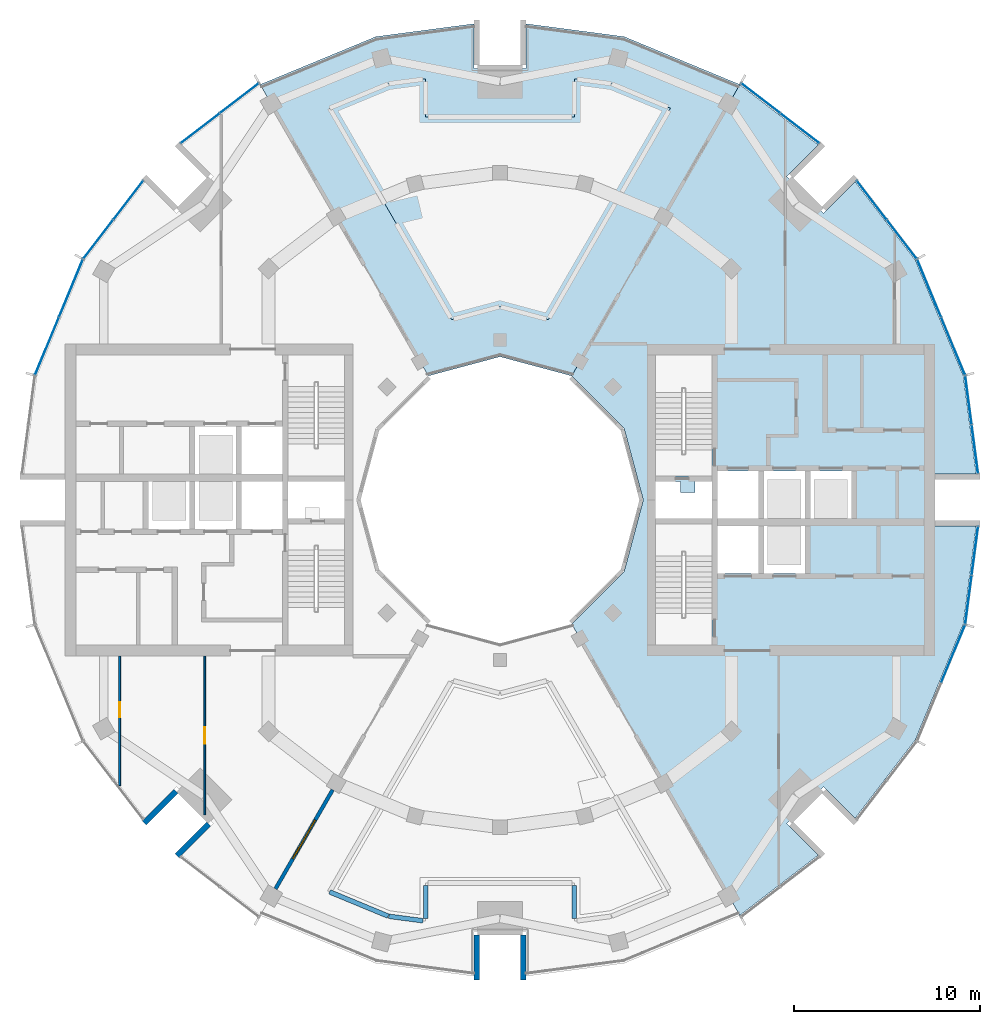
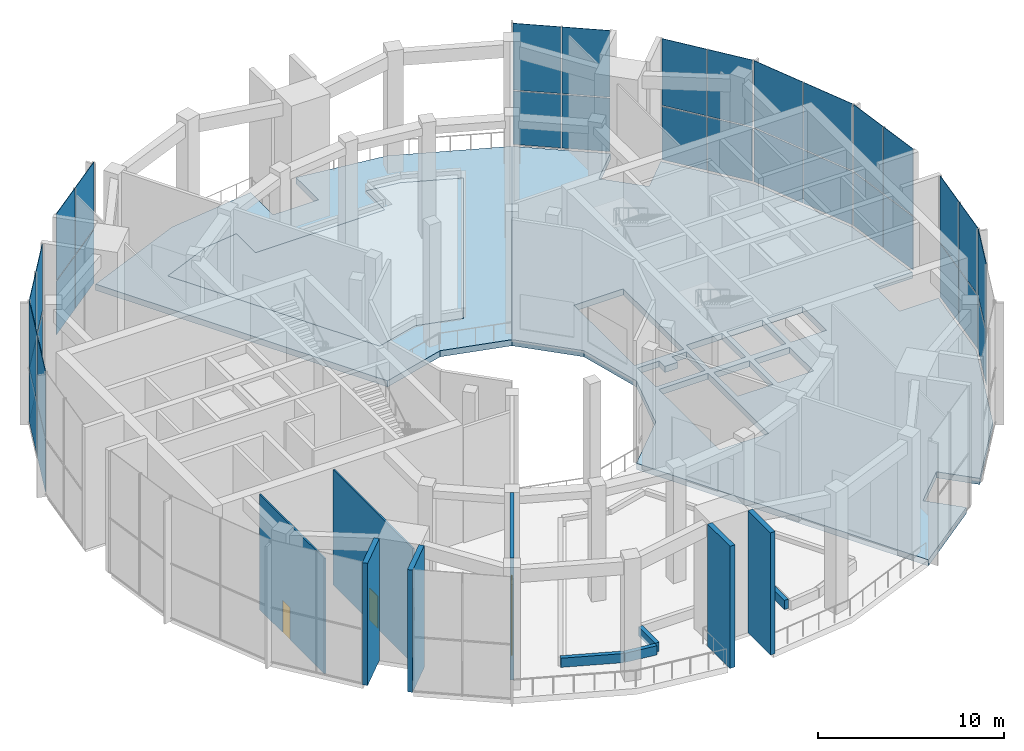
# One storey, part 10 of 18: 34 plates, 11 walls, 3 slabs, 2 doors, 1 window, 3 openings, 9 elements without a shape of their own.
"""IFC4 building model written with IfcOpenShell, lengths in metres."""

from ifc_helpers import new_model, si_unit, direction, frame, frame_2d, origin, origin_2d, place, context, subcontext, project, spatial, polyline, rectangle, outline, extrude, material, layer, layer_set, type_object, element, fill, aggregate, save


model = new_model("IFC4")

# Units and contexts
model_context = context("Model", 3, precision=1e-05, world=origin(), true_north=direction((0.0, 1.0)))
body_context = subcontext(model_context, "Body", "Model", "MODEL_VIEW")
ifc_project = project(units=[si_unit("LENGTHUNIT", "METRE"), si_unit("AREAUNIT", "SQUARE_METRE"), si_unit("VOLUMEUNIT", "CUBIC_METRE"), si_unit("PLANEANGLEUNIT", "RADIAN"), si_unit("MASSUNIT", "GRAM", prefix="KILO")], contexts=[model_context])

# Site, building, storey
site_placement = place(None, origin())
site = spatial("IfcSite", under=ifc_project, at=site_placement, CompositionType="ELEMENT")
building_placement = place(site_placement, origin())
building = spatial("IfcBuilding", under=site, at=building_placement, Name="Torre Brocal", CompositionType="ELEMENT")
storey_placement = place(building_placement, frame((0.0, 0.0, 229.300048828125)))
storey = spatial("IfcBuildingStorey", under=building, at=storey_placement, Name="L53", CompositionType="ELEMENT", Elevation=229.300048828125)

# Curtain wall, plates
ifc_material_1 = material(Name="Aluminium and glass", Category="aluminium")
ifc_layer_1 = layer(ifc_material_1, 0.199951171875)
ifc_layer_set_1 = layer_set([ifc_layer_1], Name="Aluminium and glass")
curtain_wall_type = type_object("IfcCurtainWallType", Name="CW-4 CURTAIN WALL 8000 HIGH", PredefinedType="NOTDEFINED", material=ifc_layer_set_1)
curtain_wall_1_placement = place(storey_placement, origin())
curtain_wall_1 = element("IfcCurtainWall", 1, at=curtain_wall_1_placement, inside=storey, type_object=curtain_wall_type, Name="CW-4 RUN 1", PredefinedType="NOTDEFINED")
ifc_material_2 = material(Name="Glass, dark tinted laminated", Category="glass")
ifc_layer_2 = layer(ifc_material_2, 0.030029296875)
ifc_layer_set_2 = layer_set([ifc_layer_2], Name="Glass, dark tinted laminated")
plate_type = type_object("IfcPlateType", Name="CW-4 GLASS PANEL 30", PredefinedType="CURTAIN_PANEL", material=ifc_layer_set_2)
plate_1_placement = place(storey_placement, frame((105.53857421875, 77.73828125, 0.06982421875), z_axis=(0.0, 0.0, 1.0), x_axis=(-0.13052619222, 0.991444861374, 0.0)))
plate_1 = element("IfcPlate", 2, at=plate_1_placement, type_object=plate_type, Name="CW4-1 panel 1.1", PredefinedType="CURTAIN_PANEL", context=body_context, shape_type="SweptSolid", body=[
    extrude(rectangle(XDim=2.599365234375, YDim=0.030029296875, at=origin_2d()), origin(), (0.0, 0.0, 1.0), 3.4951171875),
])
plate_2_placement = place(storey_placement, frame((105.53857421875, 77.73828125, 3.634765625), z_axis=(0.0, 0.0, 1.0), x_axis=(-0.13052619222, 0.991444861374, 0.0)))
plate_2 = element("IfcPlate", 3, at=plate_2_placement, type_object=plate_type, Name="CW4-1 panel 1.2", PredefinedType="CURTAIN_PANEL", context=body_context, shape_type="SweptSolid", body=[
    extrude(rectangle(XDim=2.599365234375, YDim=0.030029296875, at=origin_2d()), origin(), (0.0, 0.0, 1.0), 4.364990234375),
])
plate_3_placement = place(storey_placement, frame((105.19287109375, 80.364990234375, 0.06982421875), z_axis=(0.0, 0.0, 1.0), x_axis=(-0.13052619222, 0.991444861374, 0.0)))
plate_3 = element("IfcPlate", 4, at=plate_3_placement, type_object=plate_type, Name="CW4-1 panel 2.1", PredefinedType="CURTAIN_PANEL", context=body_context, shape_type="SweptSolid", body=[
    extrude(rectangle(XDim=2.599365234375, YDim=0.030029296875, at=origin_2d()), origin(), (0.0, 0.0, 1.0), 3.4951171875),
])
plate_4_placement = place(storey_placement, frame((105.19287109375, 80.364990234375, 3.634765625), z_axis=(0.0, 0.0, 1.0), x_axis=(-0.13052619222, 0.991444861374, 0.0)))
plate_4 = element("IfcPlate", 5, at=plate_4_placement, type_object=plate_type, Name="CW4-1 panel 2.2", PredefinedType="CURTAIN_PANEL", context=body_context, shape_type="SweptSolid", body=[
    extrude(rectangle(XDim=2.599365234375, YDim=0.030029296875, at=origin_2d()), origin(), (0.0, 0.0, 1.0), 4.364990234375),
])
aggregate(curtain_wall_1, [plate_1, plate_2, plate_3, plate_4])

curtain_wall_2_placement = place(storey_placement, origin())
curtain_wall_2 = element("IfcCurtainWall", 6, at=curtain_wall_2_placement, inside=storey, type_object=curtain_wall_type, Name="CW-4 RUN 2", PredefinedType="NOTDEFINED")
plate_5_placement = place(storey_placement, frame((104.364990234375, 83.2763671875, 0.06982421875), z_axis=(0.0, 0.0, 1.0), x_axis=(-0.382683432333, 0.923879532525, 0.0)))
plate_5 = element("IfcPlate", 7, at=plate_5_placement, type_object=plate_type, Name="CW4-1 panel 1.1", PredefinedType="CURTAIN_PANEL", context=body_context, shape_type="SweptSolid", body=[
    extrude(rectangle(XDim=3.305419921875, YDim=0.030029296875, at=origin_2d()), origin(), (0.0, 0.0, 1.0), 3.4951171875),
])
plate_6_placement = place(storey_placement, frame((104.364990234375, 83.2763671875, 3.634765625), z_axis=(0.0, 0.0, 1.0), x_axis=(-0.382683432333, 0.923879532525, 0.0)))
plate_6 = element("IfcPlate", 8, at=plate_6_placement, type_object=plate_type, Name="CW4-1 panel 1.2", PredefinedType="CURTAIN_PANEL", context=body_context, shape_type="SweptSolid", body=[
    extrude(rectangle(XDim=3.305419921875, YDim=0.030029296875, at=origin_2d()), origin(), (0.0, 0.0, 1.0), 4.364990234375),
])
plate_7_placement = place(storey_placement, frame((103.080810546875, 86.37646484375, 0.06982421875), z_axis=(0.0, 0.0, 1.0), x_axis=(-0.382683432333, 0.923879532525, 0.0)))
plate_7 = element("IfcPlate", 9, at=plate_7_placement, type_object=plate_type, Name="CW4-1 panel 2.1", PredefinedType="CURTAIN_PANEL", context=body_context, shape_type="SweptSolid", body=[
    extrude(rectangle(XDim=3.305419921875, YDim=0.030029296875, at=origin_2d()), origin(), (0.0, 0.0, 1.0), 3.4951171875),
])
plate_8_placement = place(storey_placement, frame((103.080810546875, 86.37646484375, 3.634765625), z_axis=(0.0, 0.0, 1.0), x_axis=(-0.382683432333, 0.923879532525, 0.0)))
plate_8 = element("IfcPlate", 10, at=plate_8_placement, type_object=plate_type, Name="CW4-1 panel 2.2", PredefinedType="CURTAIN_PANEL", context=body_context, shape_type="SweptSolid", body=[
    extrude(rectangle(XDim=3.305419921875, YDim=0.030029296875, at=origin_2d()), origin(), (0.0, 0.0, 1.0), 4.364990234375),
])
aggregate(curtain_wall_2, [plate_5, plate_6, plate_7, plate_8])

curtain_wall_3_placement = place(storey_placement, origin())
curtain_wall_3 = element("IfcCurtainWall", 11, at=curtain_wall_3_placement, inside=storey, type_object=curtain_wall_type, Name="CW-4 RUN 3", PredefinedType="NOTDEFINED")
plate_9_placement = place(storey_placement, frame((101.607666015625, 89.0205078125, 0.06982421875), z_axis=(0.0, 0.0, 1.0), x_axis=(-0.60876142905, 0.793353340259, 0.0)))
plate_9 = element("IfcPlate", 12, at=plate_9_placement, type_object=plate_type, Name="CW4-1 panel 1.1", PredefinedType="CURTAIN_PANEL", context=body_context, shape_type="SweptSolid", body=[
    extrude(rectangle(XDim=2.599365234375, YDim=0.030029296875, at=origin_2d()), origin(), (0.0, 0.0, 1.0), 3.4951171875),
])
plate_10_placement = place(storey_placement, frame((101.607666015625, 89.0205078125, 3.634765625), z_axis=(0.0, 0.0, 1.0), x_axis=(-0.60876142905, 0.793353340259, 0.0)))
plate_10 = element("IfcPlate", 13, at=plate_10_placement, type_object=plate_type, Name="CW4-1 panel 1.2", PredefinedType="CURTAIN_PANEL", context=body_context, shape_type="SweptSolid", body=[
    extrude(rectangle(XDim=2.599365234375, YDim=0.030029296875, at=origin_2d()), origin(), (0.0, 0.0, 1.0), 4.364990234375),
])
plate_11_placement = place(storey_placement, frame((99.99462890625, 91.122314453125, 0.06982421875), z_axis=(0.0, 0.0, 1.0), x_axis=(-0.60876142905, 0.793353340259, 0.0)))
plate_11 = element("IfcPlate", 14, at=plate_11_placement, type_object=plate_type, Name="CW4-1 panel 2.1", PredefinedType="CURTAIN_PANEL", context=body_context, shape_type="SweptSolid", body=[
    extrude(rectangle(XDim=2.599365234375, YDim=0.030029296875, at=origin_2d()), origin(), (0.0, 0.0, 1.0), 3.4951171875),
])
plate_12_placement = place(storey_placement, frame((99.99462890625, 91.122314453125, 3.634765625), z_axis=(0.0, 0.0, 1.0), x_axis=(-0.60876142905, 0.793353340259, 0.0)))
plate_12 = element("IfcPlate", 15, at=plate_12_placement, type_object=plate_type, Name="CW4-1 panel 2.2", PredefinedType="CURTAIN_PANEL", context=body_context, shape_type="SweptSolid", body=[
    extrude(rectangle(XDim=2.599365234375, YDim=0.030029296875, at=origin_2d()), origin(), (0.0, 0.0, 1.0), 4.364990234375),
])
aggregate(curtain_wall_3, [plate_9, plate_10, plate_11, plate_12])

curtain_wall_4_placement = place(storey_placement, origin())
curtain_wall_4 = element("IfcCurtainWall", 16, at=curtain_wall_4_placement, inside=storey, type_object=curtain_wall_type, Name="CW-4 RUN 4", PredefinedType="NOTDEFINED")
plate_13_placement = place(storey_placement, frame((96.122314453125, 94.99462890625, 0.06982421875), z_axis=(0.0, 0.0, 1.0), x_axis=(-0.793353340259, 0.60876142905, 0.0)))
plate_13 = element("IfcPlate", 17, at=plate_13_placement, type_object=plate_type, Name="CW4-1 panel 1.1", PredefinedType="CURTAIN_PANEL", context=body_context, shape_type="SweptSolid", body=[
    extrude(rectangle(XDim=2.599365234375, YDim=0.030029296875, at=origin_2d()), origin(), (0.0, 0.0, 1.0), 3.4951171875),
])
plate_14_placement = place(storey_placement, frame((96.122314453125, 94.99462890625, 3.634765625), z_axis=(0.0, 0.0, 1.0), x_axis=(-0.793353340259, 0.60876142905, 0.0)))
plate_14 = element("IfcPlate", 18, at=plate_14_placement, type_object=plate_type, Name="CW4-1 panel 1.2", PredefinedType="CURTAIN_PANEL", context=body_context, shape_type="SweptSolid", body=[
    extrude(rectangle(XDim=2.599365234375, YDim=0.030029296875, at=origin_2d()), origin(), (0.0, 0.0, 1.0), 4.364990234375),
])
plate_15_placement = place(storey_placement, frame((94.0205078125, 96.607666015625, 0.06982421875), z_axis=(0.0, 0.0, 1.0), x_axis=(-0.793353340259, 0.60876142905, 0.0)))
plate_15 = element("IfcPlate", 19, at=plate_15_placement, type_object=plate_type, Name="CW4-1 panel 2.1", PredefinedType="CURTAIN_PANEL", context=body_context, shape_type="SweptSolid", body=[
    extrude(rectangle(XDim=2.599365234375, YDim=0.030029296875, at=origin_2d()), origin(), (0.0, 0.0, 1.0), 3.4951171875),
])
plate_16_placement = place(storey_placement, frame((94.0205078125, 96.607666015625, 3.634765625), z_axis=(0.0, 0.0, 1.0), x_axis=(-0.793353340259, 0.60876142905, 0.0)))
plate_16 = element("IfcPlate", 20, at=plate_16_placement, type_object=plate_type, Name="CW4-1 panel 2.2", PredefinedType="CURTAIN_PANEL", context=body_context, shape_type="SweptSolid", body=[
    extrude(rectangle(XDim=2.599365234375, YDim=0.030029296875, at=origin_2d()), origin(), (0.0, 0.0, 1.0), 4.364990234375),
])
aggregate(curtain_wall_4, [plate_13, plate_14, plate_15, plate_16])

curtain_wall_5_placement = place(storey_placement, origin())
curtain_wall_5 = element("IfcCurtainWall", 21, at=curtain_wall_5_placement, inside=storey, type_object=curtain_wall_type, Name="CW-4 RUN 9", PredefinedType="NOTDEFINED")
plate_17_placement = place(storey_placement, frame((65.9794921875, 96.607666015625, 0.06982421875), z_axis=(0.0, 0.0, 1.0), x_axis=(-0.793353340259, -0.60876142905, 0.0)))
plate_17 = element("IfcPlate", 22, at=plate_17_placement, type_object=plate_type, Name="CW4-1 panel 1.1", PredefinedType="CURTAIN_PANEL", context=body_context, shape_type="SweptSolid", body=[
    extrude(rectangle(XDim=2.599365234375, YDim=0.030029296875, at=origin_2d()), origin(), (0.0, 0.0, 1.0), 3.4951171875),
])
plate_18_placement = place(storey_placement, frame((65.9794921875, 96.607666015625, 3.634765625), z_axis=(0.0, 0.0, 1.0), x_axis=(-0.793353340259, -0.60876142905, 0.0)))
plate_18 = element("IfcPlate", 23, at=plate_18_placement, type_object=plate_type, Name="CW4-1 panel 1.2", PredefinedType="CURTAIN_PANEL", context=body_context, shape_type="SweptSolid", body=[
    extrude(rectangle(XDim=2.599365234375, YDim=0.030029296875, at=origin_2d()), origin(), (0.0, 0.0, 1.0), 4.364990234375),
])
plate_19_placement = place(storey_placement, frame((63.877685546875, 94.99462890625, 0.06982421875), z_axis=(0.0, 0.0, 1.0), x_axis=(-0.793353340259, -0.60876142905, 0.0)))
plate_19 = element("IfcPlate", 24, at=plate_19_placement, type_object=plate_type, Name="CW4-1 panel 2.1", PredefinedType="CURTAIN_PANEL", context=body_context, shape_type="SweptSolid", body=[
    extrude(rectangle(XDim=2.599365234375, YDim=0.030029296875, at=origin_2d()), origin(), (0.0, 0.0, 1.0), 3.4951171875),
])
plate_20_placement = place(storey_placement, frame((63.877685546875, 94.99462890625, 3.634765625), z_axis=(0.0, 0.0, 1.0), x_axis=(-0.793353340259, -0.60876142905, 0.0)))
plate_20 = element("IfcPlate", 25, at=plate_20_placement, type_object=plate_type, Name="CW4-1 panel 2.2", PredefinedType="CURTAIN_PANEL", context=body_context, shape_type="SweptSolid", body=[
    extrude(rectangle(XDim=2.599365234375, YDim=0.030029296875, at=origin_2d()), origin(), (0.0, 0.0, 1.0), 4.364990234375),
])
aggregate(curtain_wall_5, [plate_17, plate_18, plate_19, plate_20])

curtain_wall_6_placement = place(storey_placement, origin())
curtain_wall_6 = element("IfcCurtainWall", 26, at=curtain_wall_6_placement, inside=storey, type_object=curtain_wall_type, Name="CW-4 RUN 10", PredefinedType="NOTDEFINED")
plate_21_placement = place(storey_placement, frame((60.00537109375, 91.122314453125, 0.06982421875), z_axis=(0.0, 0.0, 1.0), x_axis=(-0.60876142905, -0.793353340259, 0.0)))
plate_21 = element("IfcPlate", 27, at=plate_21_placement, type_object=plate_type, Name="CW4-1 panel 1.1", PredefinedType="CURTAIN_PANEL", context=body_context, shape_type="SweptSolid", body=[
    extrude(rectangle(XDim=2.599365234375, YDim=0.030029296875, at=origin_2d()), origin(), (0.0, 0.0, 1.0), 3.4951171875),
])
plate_22_placement = place(storey_placement, frame((60.00537109375, 91.122314453125, 3.634765625), z_axis=(0.0, 0.0, 1.0), x_axis=(-0.60876142905, -0.793353340259, 0.0)))
plate_22 = element("IfcPlate", 28, at=plate_22_placement, type_object=plate_type, Name="CW4-1 panel 1.2", PredefinedType="CURTAIN_PANEL", context=body_context, shape_type="SweptSolid", body=[
    extrude(rectangle(XDim=2.599365234375, YDim=0.030029296875, at=origin_2d()), origin(), (0.0, 0.0, 1.0), 4.364990234375),
])
plate_23_placement = place(storey_placement, frame((58.392333984375, 89.0205078125, 0.06982421875), z_axis=(0.0, 0.0, 1.0), x_axis=(-0.60876142905, -0.793353340259, 0.0)))
plate_23 = element("IfcPlate", 29, at=plate_23_placement, type_object=plate_type, Name="CW4-1 panel 2.1", PredefinedType="CURTAIN_PANEL", context=body_context, shape_type="SweptSolid", body=[
    extrude(rectangle(XDim=2.599365234375, YDim=0.030029296875, at=origin_2d()), origin(), (0.0, 0.0, 1.0), 3.4951171875),
])
plate_24_placement = place(storey_placement, frame((58.392333984375, 89.0205078125, 3.634765625), z_axis=(0.0, 0.0, 1.0), x_axis=(-0.60876142905, -0.793353340259, 0.0)))
plate_24 = element("IfcPlate", 30, at=plate_24_placement, type_object=plate_type, Name="CW4-1 panel 2.2", PredefinedType="CURTAIN_PANEL", context=body_context, shape_type="SweptSolid", body=[
    extrude(rectangle(XDim=2.599365234375, YDim=0.030029296875, at=origin_2d()), origin(), (0.0, 0.0, 1.0), 4.364990234375),
])
aggregate(curtain_wall_6, [plate_21, plate_22, plate_23, plate_24])

curtain_wall_7_placement = place(storey_placement, origin())
curtain_wall_7 = element("IfcCurtainWall", 31, at=curtain_wall_7_placement, inside=storey, type_object=curtain_wall_type, Name="CW-4 RUN 11", PredefinedType="NOTDEFINED")
plate_25_placement = place(storey_placement, frame((56.919189453125, 86.37646484375, 0.06982421875), z_axis=(0.0, 0.0, 1.0), x_axis=(-0.382683432333, -0.923879532525, 0.0)))
plate_25 = element("IfcPlate", 32, at=plate_25_placement, type_object=plate_type, Name="CW4-1 panel 1.1", PredefinedType="CURTAIN_PANEL", context=body_context, shape_type="SweptSolid", body=[
    extrude(rectangle(XDim=3.305419921875, YDim=0.030029296875, at=origin_2d()), origin(), (0.0, 0.0, 1.0), 3.4951171875),
])
plate_26_placement = place(storey_placement, frame((56.919189453125, 86.37646484375, 3.634765625), z_axis=(0.0, 0.0, 1.0), x_axis=(-0.382683432333, -0.923879532525, 0.0)))
plate_26 = element("IfcPlate", 33, at=plate_26_placement, type_object=plate_type, Name="CW4-1 panel 1.2", PredefinedType="CURTAIN_PANEL", context=body_context, shape_type="SweptSolid", body=[
    extrude(rectangle(XDim=3.305419921875, YDim=0.030029296875, at=origin_2d()), origin(), (0.0, 0.0, 1.0), 4.364990234375),
])
plate_27_placement = place(storey_placement, frame((55.635009765625, 83.2763671875, 0.06982421875), z_axis=(0.0, 0.0, 1.0), x_axis=(-0.382683432333, -0.923879532525, 0.0)))
plate_27 = element("IfcPlate", 34, at=plate_27_placement, type_object=plate_type, Name="CW4-1 panel 2.1", PredefinedType="CURTAIN_PANEL", context=body_context, shape_type="SweptSolid", body=[
    extrude(rectangle(XDim=3.305419921875, YDim=0.030029296875, at=origin_2d()), origin(), (0.0, 0.0, 1.0), 3.4951171875),
])
plate_28_placement = place(storey_placement, frame((55.635009765625, 83.2763671875, 3.634765625), z_axis=(0.0, 0.0, 1.0), x_axis=(-0.382683432333, -0.923879532525, 0.0)))
plate_28 = element("IfcPlate", 35, at=plate_28_placement, type_object=plate_type, Name="CW4-1 panel 2.2", PredefinedType="CURTAIN_PANEL", context=body_context, shape_type="SweptSolid", body=[
    extrude(rectangle(XDim=3.305419921875, YDim=0.030029296875, at=origin_2d()), origin(), (0.0, 0.0, 1.0), 4.364990234375),
])
aggregate(curtain_wall_7, [plate_25, plate_26, plate_27, plate_28])

curtain_wall_8_placement = place(storey_placement, origin())
curtain_wall_8 = element("IfcCurtainWall", 36, at=curtain_wall_8_placement, inside=storey, type_object=curtain_wall_type, Name="CW-4 RUN 23", PredefinedType="NOTDEFINED")
plate_29_placement = place(storey_placement, frame((104.364990234375, 66.7236328125, 0.06982421875), z_axis=(0.0, 0.0, 1.0), x_axis=(0.382683432333, 0.923879532525, 0.0)))
plate_29 = element("IfcPlate", 37, at=plate_29_placement, type_object=plate_type, Name="CW4-1 panel 2.1", PredefinedType="CURTAIN_PANEL", context=body_context, shape_type="SweptSolid", body=[
    extrude(rectangle(XDim=3.305419921875, YDim=0.030029296875, at=origin_2d()), origin(), (0.0, 0.0, 1.0), 3.4951171875),
])
plate_30_placement = place(storey_placement, frame((104.364990234375, 66.7236328125, 3.634765625), z_axis=(0.0, 0.0, 1.0), x_axis=(0.382683432333, 0.923879532525, 0.0)))
plate_30 = element("IfcPlate", 38, at=plate_30_placement, type_object=plate_type, Name="CW4-1 panel 2.2", PredefinedType="CURTAIN_PANEL", context=body_context, shape_type="SweptSolid", body=[
    extrude(rectangle(XDim=3.305419921875, YDim=0.030029296875, at=origin_2d()), origin(), (0.0, 0.0, 1.0), 4.364990234375),
])
aggregate(curtain_wall_8, [plate_29, plate_30])

curtain_wall_9_placement = place(storey_placement, origin())
curtain_wall_9 = element("IfcCurtainWall", 39, at=curtain_wall_9_placement, inside=storey, type_object=curtain_wall_type, Name="CW-4 RUN 24", PredefinedType="NOTDEFINED")
plate_31_placement = place(storey_placement, frame((105.19287109375, 69.635009765625, 0.06982421875), z_axis=(0.0, 0.0, 1.0), x_axis=(0.13052619222, 0.991444861374, 0.0)))
plate_31 = element("IfcPlate", 40, at=plate_31_placement, type_object=plate_type, Name="CW4-1 panel 1.1", PredefinedType="CURTAIN_PANEL", context=body_context, shape_type="SweptSolid", body=[
    extrude(rectangle(XDim=2.599365234375, YDim=0.030029296875, at=origin_2d()), origin(), (0.0, 0.0, 1.0), 3.4951171875),
])
plate_32_placement = place(storey_placement, frame((105.19287109375, 69.635009765625, 3.634765625), z_axis=(0.0, 0.0, 1.0), x_axis=(0.13052619222, 0.991444861374, 0.0)))
plate_32 = element("IfcPlate", 41, at=plate_32_placement, type_object=plate_type, Name="CW4-1 panel 1.2", PredefinedType="CURTAIN_PANEL", context=body_context, shape_type="SweptSolid", body=[
    extrude(rectangle(XDim=2.599365234375, YDim=0.030029296875, at=origin_2d()), origin(), (0.0, 0.0, 1.0), 4.364990234375),
])
plate_33_placement = place(storey_placement, frame((105.53857421875, 72.26171875, 0.06982421875), z_axis=(0.0, 0.0, 1.0), x_axis=(0.13052619222, 0.991444861374, 0.0)))
plate_33 = element("IfcPlate", 42, at=plate_33_placement, type_object=plate_type, Name="CW4-1 panel 2.1", PredefinedType="CURTAIN_PANEL", context=body_context, shape_type="SweptSolid", body=[
    extrude(rectangle(XDim=2.599365234375, YDim=0.030029296875, at=origin_2d()), origin(), (0.0, 0.0, 1.0), 3.4951171875),
])
plate_34_placement = place(storey_placement, frame((105.53857421875, 72.26171875, 3.634765625), z_axis=(0.0, 0.0, 1.0), x_axis=(0.13052619222, 0.991444861374, 0.0)))
plate_34 = element("IfcPlate", 43, at=plate_34_placement, type_object=plate_type, Name="CW4-1 panel 2.2", PredefinedType="CURTAIN_PANEL", context=body_context, shape_type="SweptSolid", body=[
    extrude(rectangle(XDim=2.599365234375, YDim=0.030029296875, at=origin_2d()), origin(), (0.0, 0.0, 1.0), 4.364990234375),
])
aggregate(curtain_wall_9, [plate_31, plate_32, plate_33, plate_34])

# Slabs
ifc_material_3 = material(Name="Concrete C45", Category="concrete")
ifc_layer_3 = layer(ifc_material_3, 0.39990234375)
ifc_layer_set_3 = layer_set([ifc_layer_3], Name="Concrete C45")
slab_type_1 = type_object("IfcSlabType", Name="GREEN ROOF PLANTING BED SLAB 400 C45", PredefinedType="ROOF", material=ifc_layer_set_3)
slab_1_placement = place(storey_placement, frame((0.0, 0.0, -0.400146484375)))
element("IfcSlab", 44, at=slab_1_placement, inside=storey, type_object=slab_type_1, Name="Slab ST-10", PredefinedType="ROOF", context=body_context, shape_type="SweptSolid", body=[
    extrude(outline(polyline([(76.0, 97.649169921875), (76.0, 95.60009765625), (84.0, 95.60009765625), (84.0, 97.649169921875), (85.998291015625, 97.38623046875), (89.1650390625, 96.074462890625), (82.599365234375, 84.7021484375), (80.0, 85.398681640625), (77.400634765625, 84.7021484375), (70.8349609375, 96.074462890625), (74.001708984375, 97.38623046875), (76.0, 97.649169921875)])), origin(), (0.0, 0.0, 1.0), 0.400146484375),
])
ifc_material_4 = material(Name="Concrete C45", Category="concrete")
ifc_layer_4 = layer(ifc_material_4, 0.39990234375)
ifc_layer_set_4 = layer_set([ifc_layer_4], Name="Concrete C45")
slab_type_2 = type_object("IfcSlabType", Name="PT FLOOR SLAB 400 C45", PredefinedType="FLOOR", material=ifc_layer_set_4)
slab_2_placement = place(storey_placement, frame((0.0, 0.0, -0.400146484375)))
element("IfcSlab", 45, at=slab_2_placement, inside=storey, type_object=slab_type_2, Name="Slab ST-08", PredefinedType="FLOOR", context=body_context, shape_type="SweptSolid", body=[
    extrude(outline(polyline([(92.899169921875, 97.342041015625), (97.121826171875, 94.101806640625), (95.4150390625, 92.394775390625), (97.394775390625, 90.4150390625), (99.101806640625, 92.121826171875), (102.342041015625, 87.899169921875), (104.919189453125, 81.677001953125), (105.614013671875, 76.39990234375), (103.199951171875, 76.39990234375), (103.199951171875, 73.60009765625), (105.614013671875, 73.60009765625), (104.919189453125, 68.322998046875), (102.342041015625, 62.100830078125), (99.101806640625, 57.878173828125), (97.394775390625, 59.5849609375), (95.4150390625, 57.605224609375), (97.121826171875, 55.898193359375), (92.899169921875, 52.657958984375), (83.853515625, 68.325439453125), (86.674560546875, 71.146484375), (87.70703125, 75.0), (86.674560546875, 78.853515625), (83.853515625, 81.674560546875), (92.899169921875, 97.342041015625)]), holes=[polyline([(98.89990234375, 76.550048828125), (96.699951171875, 76.550048828125), (96.699951171875, 74.0), (98.89990234375, 74.0), (98.89990234375, 76.550048828125)]), polyline([(96.39990234375, 73.60009765625), (94.199951171875, 73.60009765625), (94.199951171875, 71.050048828125), (96.39990234375, 71.050048828125), (96.39990234375, 73.60009765625)]), polyline([(96.39990234375, 76.550048828125), (94.199951171875, 76.550048828125), (94.199951171875, 74.0), (96.39990234375, 74.0), (96.39990234375, 76.550048828125)]), polyline([(93.89990234375, 73.60009765625), (91.699951171875, 73.60009765625), (91.699951171875, 71.050048828125), (93.89990234375, 71.050048828125), (93.89990234375, 73.60009765625)]), polyline([(93.89990234375, 76.550048828125), (91.699951171875, 76.550048828125), (91.699951171875, 74.0), (93.89990234375, 74.0), (93.89990234375, 76.550048828125)]), polyline([(89.699951171875, 76.0), (88.35009765625, 76.0), (88.35009765625, 74.0), (91.39990234375, 74.0), (91.39990234375, 76.0), (90.5, 76.0), (90.5, 75.39990234375), (89.699951171875, 75.39990234375), (89.699951171875, 76.0)]), polyline([(91.39990234375, 73.699951171875), (88.35009765625, 73.699951171875), (88.35009765625, 67.199951171875), (91.39990234375, 67.199951171875), (91.39990234375, 73.699951171875)]), polyline([(91.39990234375, 82.800048828125), (88.35009765625, 82.800048828125), (88.35009765625, 76.300048828125), (91.39990234375, 76.300048828125), (91.39990234375, 82.800048828125)])]), origin(), (0.0, 0.0, 1.0), 0.400146484375),
])
ifc_material_5 = material(Name="Concrete C45", Category="concrete")
ifc_layer_5 = layer(ifc_material_5, 0.39990234375)
ifc_layer_set_5 = layer_set([ifc_layer_5], Name="Concrete C45")
slab_type_3 = type_object("IfcSlabType", Name="PT GARDEN SLAB 400 C45", PredefinedType="ROOF", material=ifc_layer_set_5)
slab_3_placement = place(storey_placement, frame((0.0, 0.0, -0.400146484375)))
element("IfcSlab", 46, at=slab_3_placement, inside=storey, type_object=slab_type_3, Name="Slab ST-09", PredefinedType="ROOF", context=body_context, shape_type="SweptSolid", body=[
    extrude(outline(polyline([(78.60009765625, 98.199951171875), (81.39990234375, 98.199951171875), (81.39990234375, 100.614013671875), (86.677001953125, 99.919189453125), (92.899169921875, 97.342041015625), (83.853515625, 81.674560546875), (80.0, 82.70703125), (76.146484375, 81.674560546875), (67.100830078125, 97.342041015625), (73.322998046875, 99.919189453125), (78.60009765625, 100.614013671875), (78.60009765625, 98.199951171875)]), holes=[polyline([(77.400634765625, 84.7021484375), (80.0, 85.398681640625), (82.599365234375, 84.7021484375), (89.1650390625, 96.074462890625), (85.998291015625, 97.38623046875), (84.0, 97.649169921875), (84.0, 95.60009765625), (76.0, 95.60009765625), (76.0, 97.649169921875), (74.001708984375, 97.38623046875), (70.8349609375, 96.074462890625), (77.400634765625, 84.7021484375)])]), origin(), (0.0, 0.0, 1.0), 0.400146484375),
])

# Walls
ifc_material_6 = material(Name="Concrete C60", Category="concrete")
ifc_layer_6 = layer(ifc_material_6, 0.300048828125)
ifc_layer_set_6 = layer_set([ifc_layer_6], Name="Concrete C60")
wall_type_1 = type_object("IfcWallType", Name="NOTCH RETURN WALL 300 C60", PredefinedType="NOTDEFINED", material=ifc_layer_set_6)
for number, where, z_axis, x_axis, name in (
    (47, (62.56982421875, 59.337646484375, 0.0), (0.0, 0.0, 1.0), (-0.707106781187, -0.707106781187, 0.0), "NOTCH RETURN WALL"),
    (48, (64.337646484375, 57.56982421875, 0.0), (0.0, 0.0, 1.0), (-0.707106781187, -0.707106781187, 0.0), "NOTCH RETURN WALL"),
    (49, (78.75, 51.60009765625, 0.0), (0.0, 0.0, 1.0), (0.0, -1.0, 0.0), "NOTCH RETURN WALL"),
    (50, (81.25, 51.60009765625, 0.0), (0.0, 0.0, 1.0), (0.0, -1.0, 0.0), "NOTCH RETURN WALL"),
):
    element("IfcWall", number, at=place(storey_placement, frame(where, z_axis=z_axis, x_axis=x_axis)), inside=storey, type_object=wall_type_1, Name=name, PredefinedType="NOTDEFINED", context=body_context, shape_type="SweptSolid", body=[
        extrude(rectangle(XDim=2.415771484375, YDim=0.300048828125, at=frame_2d((1.2080078125, 0.0))), origin(), (0.0, 0.0, 1.0), 8.0),
    ])

# Wall, opening, door
ifc_material_7 = material(Name="Gypsum board", Category="Gypsum")
ifc_layer_7 = layer(ifc_material_7, 0.10009765625)
ifc_layer_set_7 = layer_set([ifc_layer_7], Name="Gypsum board")
wall_type_2 = type_object("IfcWallType", Name="PARTITION 100", PredefinedType="PARTITIONING", material=ifc_layer_set_7)
wall_1_placement = place(storey_placement, frame((59.544921875, 59.64208984375, 0.0), z_axis=(0.0, 0.0, 1.0), x_axis=(0.0, 1.0, 0.0)))
wall_1 = element("IfcWall", 51, at=wall_1_placement, inside=storey, type_object=wall_type_2, Name="BATHROOM WALL", PredefinedType="PARTITIONING", context=body_context, shape_type="SweptSolid", body=[
    extrude(rectangle(XDim=6.9580078125, YDim=0.10009765625, at=frame_2d((3.47900390625, 0.0))), origin(), (0.0, 0.0, 1.0), 7.550048828125),
])
opening_1_placement = place(wall_1_placement, frame((3.678955078125, 0.0, 0.0)))
opening_1 = element("IfcOpeningElement", 52, at=opening_1_placement, cuts=wall_1, Name="Opening SG3-D06", PredefinedType="OPENING", context=body_context, shape_type="SweptSolid", body=[
    extrude(rectangle(XDim=0.800048828125, YDim=2.10009765625, at=frame_2d((0.39990234375, 1.050048828125))), frame((0.0, 0.06005859375, 0.0), z_axis=(0.0, -1.0, 0.0), x_axis=(1.0, 0.0, 0.0)), (0.0, 0.0, 1.0), 0.1201171875),
])
ifc_material_8 = material(Name="Timber", Category="wood")
door_type_1 = type_object("IfcDoorType", Name="BATHROOM DOOR 800X2100", OperationType="SINGLE_SWING_LEFT", PredefinedType="DOOR", material=ifc_material_8)
door_1_placement = place(opening_1_placement, origin())
door_1 = element("IfcDoor", 53, at=door_1_placement, inside=storey, type_object=door_type_1, Name="SG3-D06", OperationType="SINGLE_SWING_RIGHT", OverallHeight=2.10009765625, OverallWidth=0.800048828125, PredefinedType="DOOR", context=body_context, shape_type="SweptSolid", body=[
    extrude(rectangle(XDim=0.800048828125, YDim=2.10009765625, at=frame_2d((0.39990234375, 1.050048828125))), frame((0.0, 0.02490234375, 0.0), z_axis=(0.0, -1.0, 0.0), x_axis=(1.0, 0.0, 0.0)), (0.0, 0.0, 1.0), 0.050048828125),
])
fill(opening_1, door_1)

wall_2_placement = place(storey_placement, frame((64.1240234375, 58.06591796875, 0.0), z_axis=(0.0, 0.0, 1.0), x_axis=(0.0, 1.0, 0.0)))
wall_2 = element("IfcWall", 54, at=wall_2_placement, inside=storey, type_object=wall_type_2, Name="ROOM PARTITION", PredefinedType="PARTITIONING", context=body_context, shape_type="SweptSolid", body=[
    extrude(rectangle(XDim=8.5341796875, YDim=0.10009765625, at=frame_2d((4.26708984375, 0.0))), origin(), (0.0, 0.0, 1.0), 7.550048828125),
])
opening_2_placement = place(wall_2_placement, frame((3.81689453125, 0.0, 0.0)))
opening_2 = element("IfcOpeningElement", 55, at=opening_2_placement, cuts=wall_2, Name="Opening SG3-D05", PredefinedType="OPENING", context=body_context, shape_type="SweptSolid", body=[
    extrude(rectangle(XDim=0.89990234375, YDim=2.10009765625, at=frame_2d((0.449951171875, 1.050048828125))), frame((0.0, 0.06005859375, 0.0), z_axis=(0.0, -1.0, 0.0), x_axis=(1.0, 0.0, 0.0)), (0.0, 0.0, 1.0), 0.1201171875),
])
ifc_material_9 = material(Name="Timber", Category="wood")
door_type_2 = type_object("IfcDoorType", Name="ROOM DOOR 900X2100", OperationType="SINGLE_SWING_LEFT", PredefinedType="DOOR", material=ifc_material_9)
door_2_placement = place(opening_2_placement, origin())
door_2 = element("IfcDoor", 56, at=door_2_placement, inside=storey, type_object=door_type_2, Name="SG3-D05", OperationType="SINGLE_SWING_LEFT", OverallHeight=2.10009765625, OverallWidth=0.89990234375, PredefinedType="DOOR", context=body_context, shape_type="SweptSolid", body=[
    extrude(rectangle(XDim=0.89990234375, YDim=2.10009765625, at=frame_2d((0.449951171875, 1.050048828125))), frame((0.0, 0.02490234375, 0.0), z_axis=(0.0, -1.0, 0.0), x_axis=(1.0, 0.0, 0.0)), (0.0, 0.0, 1.0), 0.050048828125),
])
fill(opening_2, door_2)

# Wall, opening, window
ifc_material_10 = material(Name="Concrete C40", Category="concrete")
ifc_layer_8 = layer(ifc_material_10, 0.199951171875)
ifc_layer_set_8 = layer_set([ifc_layer_8], Name="Concrete C40")
wall_type_3 = type_object("IfcWallType", Name="PAVILION BOUNDARY WALL 200", PredefinedType="NOTDEFINED", material=ifc_layer_set_8)
wall_3_placement = place(storey_placement, frame((71.0, 59.41162109375, 0.0), z_axis=(0.0, 0.0, 1.0), x_axis=(-0.499985903289, -0.866033542371, 0.0)))
wall_3 = element("IfcWall", 57, at=wall_3_placement, inside=storey, type_object=wall_type_3, Name="PAVILION BOUNDARY WALL", PredefinedType="NOTDEFINED", context=body_context, shape_type="SweptSolid", body=[
    extrude(rectangle(XDim=6.150146484375, YDim=0.199951171875, at=frame_2d((3.0751953125, 0.0))), origin(), (0.0, 0.0, 1.0), 8.0),
])
opening_3_placement = place(wall_3_placement, frame((1.875, 0.0, 0.300048828125)))
opening_3 = element("IfcOpeningElement", 58, at=opening_3_placement, cuts=wall_3, Name="Opening W4", PredefinedType="OPENING", context=body_context, shape_type="SweptSolid", body=[
    extrude(rectangle(XDim=2.39990234375, YDim=3.60009765625, at=frame_2d((1.199951171875, 1.800048828125))), frame((0.0, 0.10986328125, 0.0), z_axis=(0.0, -1.0, 0.0), x_axis=(1.0, 0.0, 0.0)), (0.0, 0.0, 1.0), 0.219970703125),
])
ifc_material_11 = material(Name="Aluminium and glass", Category="aluminium")
window_type = type_object("IfcWindowType", Name="PAVILION WINDOW 2400X3600", PartitioningType="SINGLE_PANEL", PredefinedType="WINDOW", material=ifc_material_11)
window_placement = place(opening_3_placement, origin())
window = element("IfcWindow", 59, at=window_placement, inside=storey, type_object=window_type, Name="PAVILION WINDOW 2400X3600", OverallHeight=3.60009765625, OverallWidth=2.39990234375, PartitioningType="SINGLE_PANEL", PredefinedType="WINDOW", context=body_context, shape_type="SweptSolid", body=[
    extrude(rectangle(XDim=2.39990234375, YDim=3.60009765625, at=frame_2d((1.199951171875, 1.800048828125))), frame((0.0, 0.030029296875, 0.0), z_axis=(0.0, -1.0, 0.0), x_axis=(1.0, 0.0, 0.0)), (0.0, 0.0, 1.0), 0.06005859375),
])
fill(opening_3, window)

# Walls
ifc_material_12 = material(Name="Concrete C35", Category="concrete")
ifc_layer_9 = layer(ifc_material_12, 0.25)
ifc_layer_set_9 = layer_set([ifc_layer_9], Name="Concrete C35")
wall_type_4 = type_object("IfcWallType", Name="PLANTER WALL 250 THICK 600 HIGH 8", PredefinedType="USERDEFINED", material=ifc_layer_set_9)
wall_4_placement = place(storey_placement, frame((70.8349609375, 53.925537109375, 0.0), z_axis=(0.0, 0.0, 1.0), x_axis=(0.923871147788, -0.38270367425, 0.0)))
element("IfcWall", 60, at=wall_4_placement, inside=storey, type_object=wall_type_4, Name="PLANTER", ObjectType="PLANTER", PredefinedType="USERDEFINED", context=body_context, shape_type="SweptSolid", body=[
    extrude(rectangle(XDim=3.4111328125, YDim=0.25, at=frame_2d((1.70556640625, 0.0))), origin(), (0.0, 0.0, 1.0), 0.599853515625),
])
wall_5_placement = place(storey_placement, frame((74.01806640625, 52.61181640625, 0.0), z_axis=(0.0, 0.0, 1.0), x_axis=(0.991436829887, -0.130587182926, 0.0)))
element("IfcWall", 61, at=wall_5_placement, inside=storey, type_object=wall_type_4, Name="PLANTER", ObjectType="PLANTER", PredefinedType="USERDEFINED", context=body_context, shape_type="SweptSolid", body=[
    extrude(rectangle(XDim=1.8564453125, YDim=0.25, at=frame_2d((0.92822265625, 0.0))), origin(), (0.0, 0.0, 1.0), 0.599853515625),
])
for number, where, z_axis, x_axis, name in (
    (62, (76.0, 52.493408203125, 0.0), (0.0, 0.0, 1.0), (0.0, 1.0, 0.0), "PLANTER"),
    (63, (84.0, 54.27490234375, 0.0), (0.0, 0.0, 1.0), (0.0, -1.0, 0.0), "PLANTER"),
):
    element("IfcWall", number, at=place(storey_placement, frame(where, z_axis=z_axis, x_axis=x_axis)), inside=storey, type_object=wall_type_4, Name=name, ObjectType="PLANTER", PredefinedType="USERDEFINED", context=body_context, shape_type="SweptSolid", body=[
        extrude(rectangle(XDim=1.781494140625, YDim=0.25, at=frame_2d((0.890625, 0.0))), origin(), (0.0, 0.0, 1.0), 0.599853515625),
    ])

save(model, "model.ifc")
